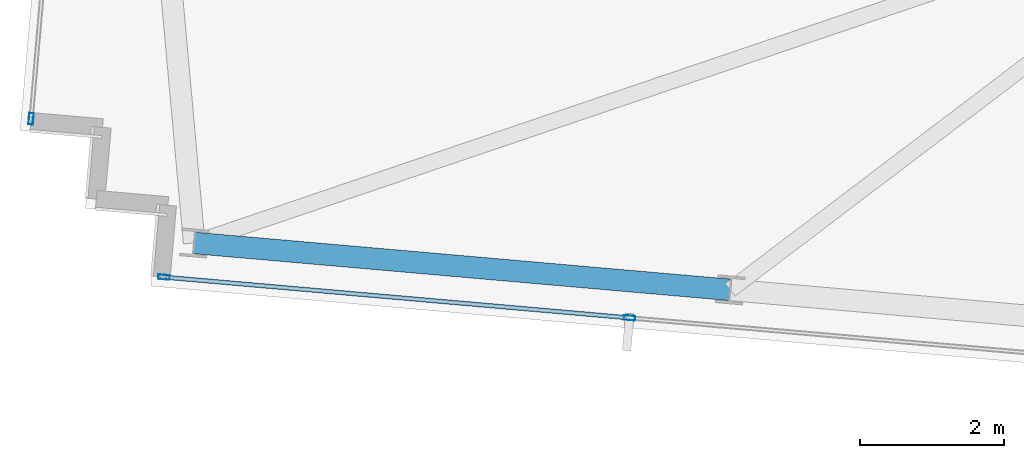
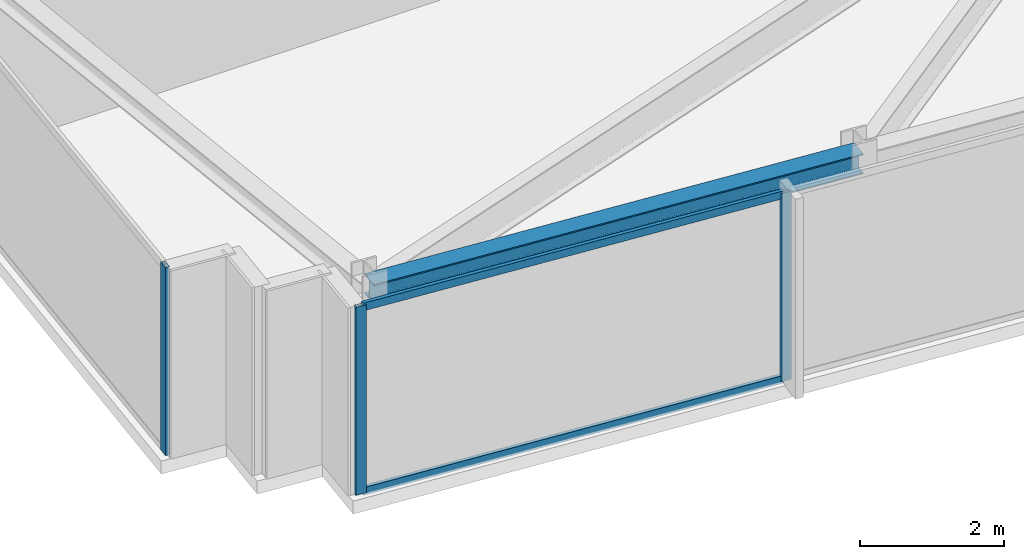
# One storey, part 2 of 32: 5 members, 1 beam, 2 elements without a shape of their own.
"""IFC4 building model written with IfcOpenShell, lengths in metres."""

from ifc_helpers import new_model, si_unit, direction, frame, origin, origin_2d, place, context, subcontext, project, spatial, hollow_rectangle, i_section, extrude, material, material_profile, profile_set, type_object, element, aggregate, save


model = new_model("IFC4")

# Units and contexts
model_context = context("Model", 3, precision=1e-05, world=origin(), true_north=direction((0.0, 1.0)))
body_context = subcontext(model_context, "Body", "Model", "MODEL_VIEW")
ifc_project = project(units=[si_unit("LENGTHUNIT", "METRE"), si_unit("AREAUNIT", "SQUARE_METRE"), si_unit("VOLUMEUNIT", "CUBIC_METRE"), si_unit("PLANEANGLEUNIT", "RADIAN"), si_unit("MASSUNIT", "GRAM", prefix="KILO")], contexts=[model_context])

# Site, building, storey
site_placement = place(None, origin())
site = spatial("IfcSite", under=ifc_project, at=site_placement, CompositionType="ELEMENT")
building_placement = place(site_placement, origin())
building = spatial("IfcBuilding", under=site, at=building_placement, Name="Yelkora Congress Tower", CompositionType="ELEMENT")
storey_placement = place(building_placement, frame((0.0, 0.0, 293.10009765625)))
storey = spatial("IfcBuildingStorey", under=building, at=storey_placement, Name="L82", CompositionType="ELEMENT", Elevation=293.10009765625)

# Beam
ifc_material_1 = material(Name="Steel S355J2", Category="steel")
ifc_material_profile_1 = material_profile(ifc_material_1, i_section(OverallWidth=0.300048828125, OverallDepth=0.340087890625, WebThickness=0.011962890625, FlangeThickness=0.021484375, FilletRadius=0.027099609375, at=origin_2d()), Name="HEB 340")
ifc_profile_set_1 = profile_set([ifc_material_profile_1], Name="Steel S355J2")
beam_type = type_object("IfcBeamType", Name="BM-SPAN-HEB340", PredefinedType="SPANDREL", material=ifc_profile_set_1)
beam_placement = place(storey_placement, frame((7.998046875, 20.097900390625, 3.010009765625), z_axis=(0.996193186297, -0.08717302092, 0.0), x_axis=(0.08717302092, 0.996193186297, 0.0)))
element("IfcBeam", 1, at=beam_placement, inside=storey, type_object=beam_type, Name="L82 Perimeter Beam 1", PredefinedType="SPANDREL", context=body_context, shape_type="SweptSolid", body=[
    extrude(i_section(OverallWidth=0.300048828125, OverallDepth=0.340087890625, WebThickness=0.011962890625, FlangeThickness=0.021484375, FilletRadius=0.027099609375, at=origin_2d()), origin(), (0.0, 0.0, 1.0), 7.4833984375),
])

# Curtain wall, member
ifc_material_2 = material(Name="Anodised aluminium and insulated glass", Category="aluminium")
curtain_wall_type = type_object("IfcCurtainWallType", Name="CW-SYS-B5", PredefinedType="NOTDEFINED", material=ifc_material_2)
curtain_wall_1_placement = place(storey_placement, origin())
curtain_wall_1 = element("IfcCurtainWall", 2, at=curtain_wall_1_placement, inside=storey, type_object=curtain_wall_type, Name="L82 Unitised Curtain Wall 5", PredefinedType="NOTDEFINED")
ifc_material_3 = material(Name="Anodised aluminium 6063-T6", Category="aluminium")
ifc_material_profile_2 = material_profile(ifc_material_3, hollow_rectangle(XDim=0.06494140625, YDim=0.159912109375, WallThickness=0.00390625, at=origin_2d()), Name="ALU 65x160x4")
ifc_profile_set_2 = profile_set([ifc_material_profile_2], Name="Anodised aluminium 6063-T6")
member_type_1 = type_object("IfcMemberType", Name="MEM-ML-B5", PredefinedType="MULLION", material=ifc_profile_set_2)
member_1_placement = place(storey_placement, frame((5.72998046875, 21.824462890625, 0.0), z_axis=(0.0, 0.0, 1.0), x_axis=(-0.996194785929, 0.08715473876, 0.0)))
member_1 = element("IfcMember", 3, at=member_1_placement, type_object=member_type_1, Name="CW-B5 mullion 1", PredefinedType="MULLION", context=body_context, shape_type="SweptSolid", body=[
    extrude(hollow_rectangle(XDim=0.06494140625, YDim=0.159912109375, WallThickness=0.00390625, at=origin_2d()), origin(), (0.0, 0.0, 1.0), 3.179931640625),
])
aggregate(curtain_wall_1, [member_1])

# Curtain wall, members
curtain_wall_2_placement = place(storey_placement, origin())
curtain_wall_2 = element("IfcCurtainWall", 4, at=curtain_wall_2_placement, inside=storey, type_object=curtain_wall_type, Name="L82 Unitised Curtain Wall 20", PredefinedType="NOTDEFINED")
member_2_placement = place(storey_placement, frame((14.0517578125, 19.05615234375, 0.0), z_axis=(0.0, 0.0, 1.0), x_axis=(-0.087156829793, -0.996194602987, 0.0)))
member_2 = element("IfcMember", 5, at=member_2_placement, type_object=member_type_1, Name="CW-B5 mullion 7", PredefinedType="MULLION", context=body_context, shape_type="SweptSolid", body=[
    extrude(hollow_rectangle(XDim=0.06494140625, YDim=0.159912109375, WallThickness=0.00390625, at=origin_2d()), origin(), (0.0, 0.0, 1.0), 3.179931640625),
])
member_3_placement = place(storey_placement, frame((7.57763671875, 19.62255859375, 0.0), z_axis=(0.0, 0.0, 1.0), x_axis=(-0.087156829793, -0.996194602987, 0.0)))
member_3 = element("IfcMember", 6, at=member_3_placement, type_object=member_type_1, Name="CW-B5 mullion 8", PredefinedType="MULLION", context=body_context, shape_type="SweptSolid", body=[
    extrude(hollow_rectangle(XDim=0.06494140625, YDim=0.159912109375, WallThickness=0.00390625, at=origin_2d()), origin(), (0.0, 0.0, 1.0), 3.179931640625),
])
ifc_material_profile_3 = material_profile(ifc_material_3, hollow_rectangle(XDim=0.06005859375, YDim=0.1298828125, WallThickness=0.00390625, at=origin_2d()), Name="ALU 60x130x4")
ifc_profile_set_3 = profile_set([ifc_material_profile_3], Name="Anodised aluminium 6063-T6")
member_type_2 = type_object("IfcMemberType", Name="MEM-TR-B5", PredefinedType="USERDEFINED", material=ifc_profile_set_3)
member_4_placement = place(storey_placement, frame((14.019287109375, 19.05908203125, 0.02978515625), z_axis=(-0.996194170551, 0.08716177236, 0.0), x_axis=(-0.08716177236, -0.996194170551, 0.0)))
member_4 = element("IfcMember", 7, at=member_4_placement, type_object=member_type_2, Name="CW-B5 transom 7.1", ObjectType="TRANSOM", PredefinedType="USERDEFINED", context=body_context, shape_type="SweptSolid", body=[
    extrude(hollow_rectangle(XDim=0.06005859375, YDim=0.1298828125, WallThickness=0.00390625, at=origin_2d()), origin(), (0.0, 0.0, 1.0), 6.433837890625),
])
member_5_placement = place(storey_placement, frame((14.019287109375, 19.05908203125, 3.14990234375), z_axis=(-0.996194170551, 0.08716177236, 0.0), x_axis=(-0.08716177236, -0.996194170551, 0.0)))
member_5 = element("IfcMember", 8, at=member_5_placement, type_object=member_type_2, Name="CW-B5 transom 7.2", ObjectType="TRANSOM", PredefinedType="USERDEFINED", context=body_context, shape_type="SweptSolid", body=[
    extrude(hollow_rectangle(XDim=0.06005859375, YDim=0.1298828125, WallThickness=0.00390625, at=origin_2d()), origin(), (0.0, 0.0, 1.0), 6.433837890625),
])
aggregate(curtain_wall_2, [member_2, member_3, member_4, member_5])

save(model, "model.ifc")
